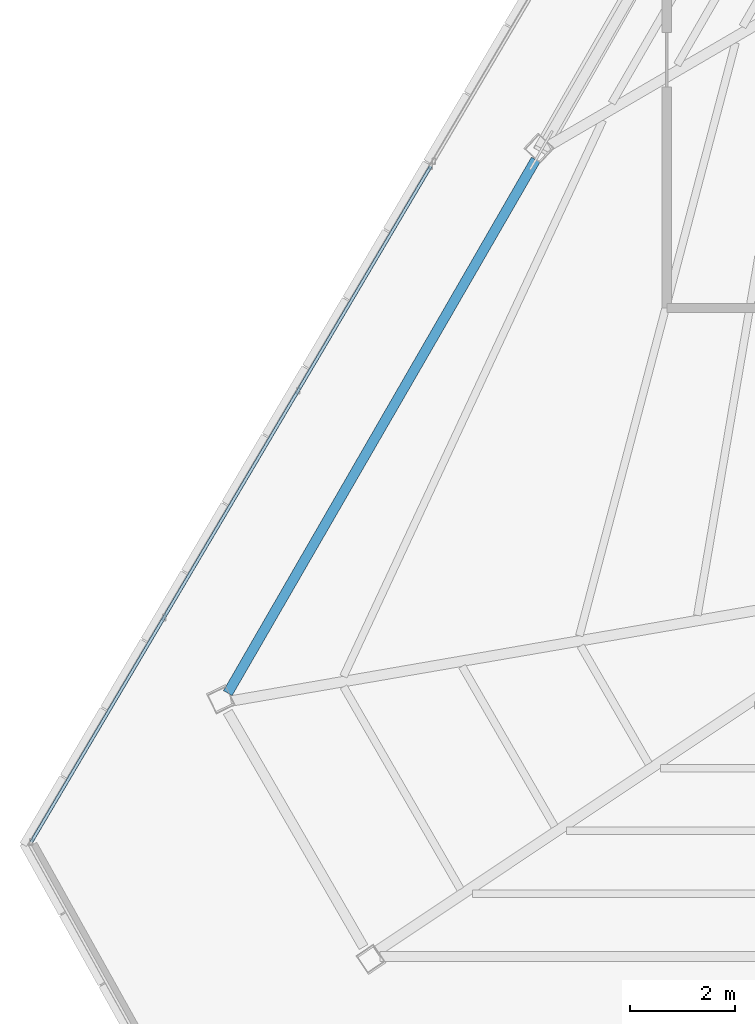
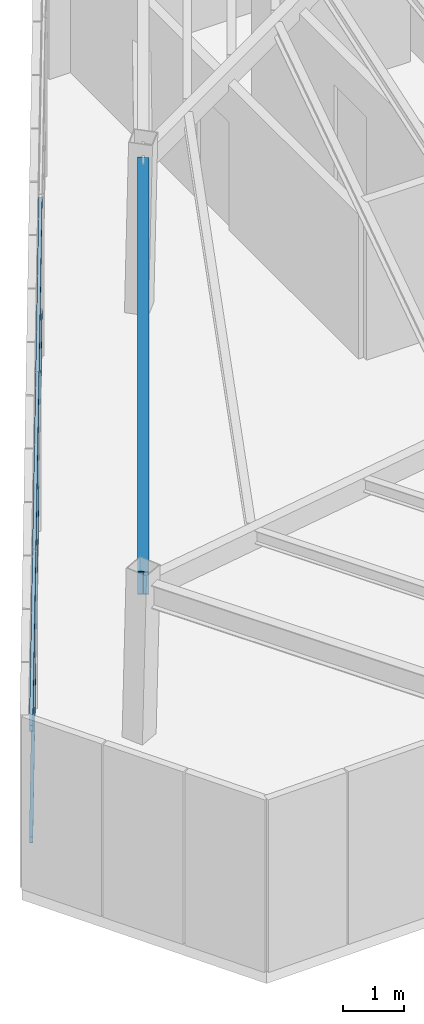
# One storey, part 8 of 44: 2 members, 1 beam, 1 element without a shape of its own.
"""IFC4 building model written with IfcOpenShell, lengths in metres."""

from ifc_helpers import new_model, si_unit, direction, frame, origin, origin_2d, place, context, subcontext, project, spatial, hollow_rectangle, i_section, extrude, source, transform, mapped, material, material_profile, profile_set, type_object, type_shapes, element, aggregate, save


model = new_model("IFC4")

# Units and contexts
model_context = context("Model", 3, precision=1e-05, world=origin(), true_north=direction((0.0, 1.0)))
body_context = subcontext(model_context, "Body", "Model", "MODEL_VIEW")
ifc_project = project(units=[si_unit("LENGTHUNIT", "METRE"), si_unit("AREAUNIT", "SQUARE_METRE"), si_unit("VOLUMEUNIT", "CUBIC_METRE"), si_unit("PLANEANGLEUNIT", "RADIAN"), si_unit("MASSUNIT", "GRAM", prefix="KILO")], contexts=[model_context])

# Site, building, storey
site_placement = place(None, origin())
site = spatial("IfcSite", under=ifc_project, at=site_placement, CompositionType="ELEMENT")
building_placement = place(site_placement, origin())
building = spatial("IfcBuilding", under=site, at=building_placement, Name="Caelisora Broadcast Tower", CompositionType="ELEMENT")
storey_placement = place(building_placement, frame((0.0, 0.0, 296.60009765625)))
storey = spatial("IfcBuildingStorey", under=building, at=storey_placement, Name="L78", CompositionType="ELEMENT", Elevation=296.60009765625)

# Beam
ifc_material_1 = material(Name="Steel Grade 350 (AS/NZS 3679.1)", Category="steel")
ifc_material_profile_1 = material_profile(ifc_material_1, i_section(OverallWidth=0.19091796875, OverallDepth=0.46044921875, WebThickness=0.010009765625, FlangeThickness=0.01611328125, at=origin_2d()), Name="Steel Grade 350 (AS/NZS 3679.1)")
ifc_profile_set_1 = profile_set([ifc_material_profile_1], Name="Steel Grade 350 (AS/NZS 3679.1)")
beam_type = type_object("IfcBeamType", Name="PG06", PredefinedType="BEAM", material=ifc_profile_set_1)
shared_shape_1 = source(origin(), body_context, "Body", "SweptSolid", [
    extrude(i_section(OverallWidth=0.19091796875, OverallDepth=0.46044921875, WebThickness=0.010009765625, FlangeThickness=0.01611328125, at=origin_2d()), origin(), (0.0, 0.0, 1.0), 11.784912109375),
])
type_shapes(beam_type, [shared_shape_1])
beam_placement = place(storey_placement, frame((22.890869140625, 25.439208984375, 2.919677734375), z_axis=(-0.499991444292, -0.866030343368, 0.0), x_axis=(0.866030343368, -0.499991444292, 0.0)))
element("IfcBeam", 1, at=beam_placement, inside=storey, type_object=beam_type, Name="L78 beam PG06", PredefinedType="BEAM", context=body_context, shape_type="MappedRepresentation", body=[
    mapped(shared_shape_1, transform((0.0, 0.0, 0.0), scale=1.0)),
])

# Curtain wall, members
ifc_material_2 = material(Name="Unitised Aluminium Insulated Shadow-Box Spandrel Curtain Wall", Category="aluminium")
curtain_wall_type = type_object("IfcCurtainWallType", Name="CW-SP3", PredefinedType="NOTDEFINED", material=ifc_material_2)
curtain_wall_placement = place(storey_placement, origin())
curtain_wall = element("IfcCurtainWall", 2, at=curtain_wall_placement, inside=storey, type_object=curtain_wall_type, Name="L78 curtain wall CW-SP3", PredefinedType="NOTDEFINED")
ifc_material_3 = material(Name="Aluminium 6063-T6 Anodised Terracotta Bronze", Category="aluminium")
ifc_material_profile_2 = material_profile(ifc_material_3, hollow_rectangle(XDim=0.06005859375, YDim=0.1201171875, WallThickness=0.0029296875, at=origin_2d()), Name="Aluminium 6063-T6 Anodised Terracotta Bronze")
ifc_profile_set_2 = profile_set([ifc_material_profile_2], Name="Aluminium 6063-T6 Anodised Terracotta Bronze")
member_type = type_object("IfcMemberType", Name="CWT-03", PredefinedType="USERDEFINED", material=ifc_profile_set_2)
shared_shape_2 = source(origin(), body_context, "Body", "SweptSolid", [
    extrude(hollow_rectangle(XDim=0.06005859375, YDim=0.1201171875, WallThickness=0.0029296875, at=origin_2d()), origin(), (0.0, 0.0, 1.0), 15.02099609375),
])
type_shapes(member_type, [shared_shape_2])
member_1_placement = place(storey_placement, frame((13.240478515625, 12.383056640625, 0.849853515625), z_axis=(0.508812543063, 0.860877340869, 0.0), x_axis=(-0.860877340869, 0.508812543063, 0.0)))
member_1 = element("IfcMember", 3, at=member_1_placement, type_object=member_type, Name="L78-CW-B09 transom #1", ObjectType="TRANSOM", PredefinedType="USERDEFINED", context=body_context, shape_type="MappedRepresentation", body=[
    mapped(shared_shape_2, transform((0.0, 0.0, 0.0), scale=1.0)),
])
member_2_placement = place(storey_placement, frame((13.240478515625, 12.383056640625, 3.06982421875), z_axis=(0.508812543063, 0.860877340869, 0.0), x_axis=(-0.860877340869, 0.508812543063, 0.0)))
member_2 = element("IfcMember", 4, at=member_2_placement, type_object=member_type, Name="L78-CW-B09 transom #2", ObjectType="TRANSOM", PredefinedType="USERDEFINED", context=body_context, shape_type="MappedRepresentation", body=[
    mapped(shared_shape_2, transform((0.0, 0.0, 0.0), scale=1.0)),
])
aggregate(curtain_wall, [member_1, member_2])

save(model, "model.ifc")
